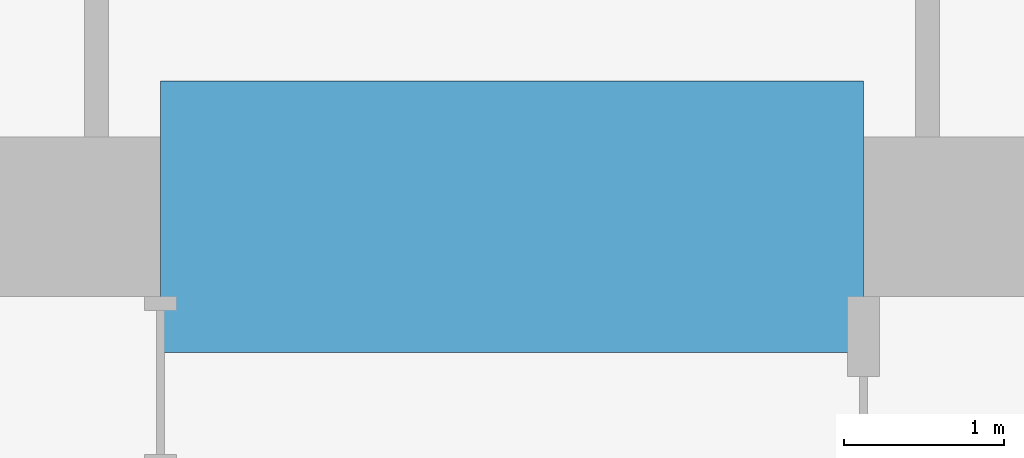
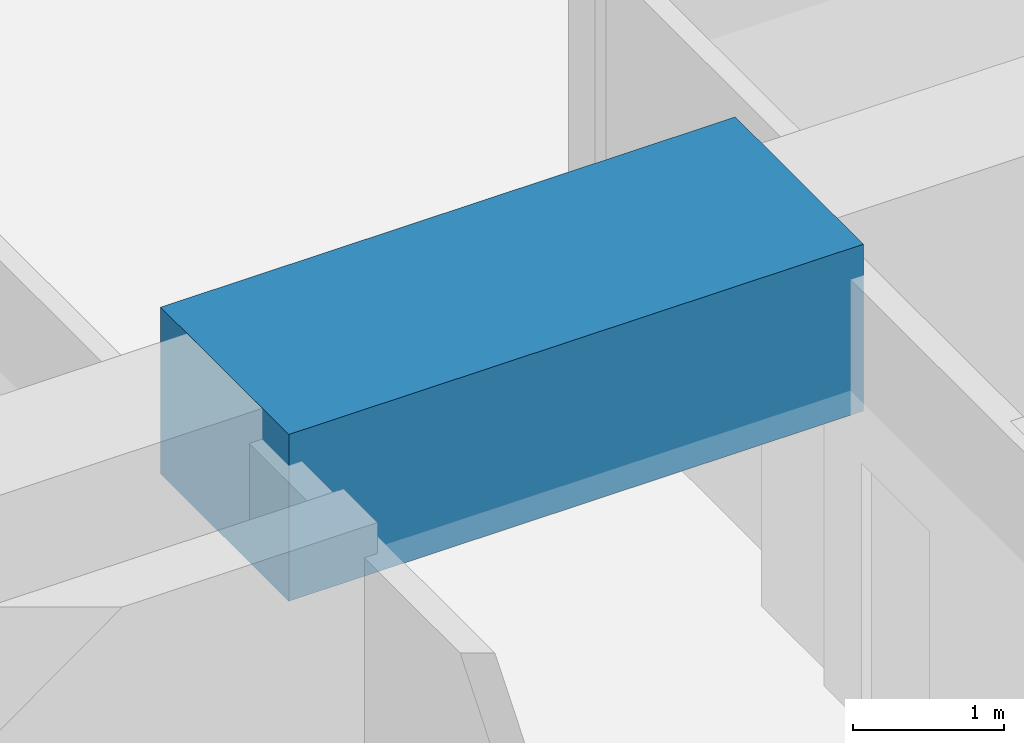
# One storey, part 18 of 40: 1 beam.
"""IFC4 building model written with IfcOpenShell, lengths in metres."""

from ifc_helpers import new_model, si_unit, direction, frame, origin, origin_2d, place, context, subcontext, project, spatial, rectangle, extrude, material, material_profile, profile_set, type_object, element, save


model = new_model("IFC4")

# Units and contexts
model_context = context("Model", 3, precision=1e-05, world=origin(), true_north=direction((0.0, 1.0)))
body_context = subcontext(model_context, "Body", "Model", "MODEL_VIEW")
ifc_project = project(units=[si_unit("LENGTHUNIT", "METRE"), si_unit("AREAUNIT", "SQUARE_METRE"), si_unit("VOLUMEUNIT", "CUBIC_METRE"), si_unit("PLANEANGLEUNIT", "RADIAN"), si_unit("MASSUNIT", "GRAM", prefix="KILO")], contexts=[model_context])

# Site, building, storey
site_placement = place(None, origin())
site = spatial("IfcSite", under=ifc_project, at=site_placement, CompositionType="ELEMENT")
building_placement = place(site_placement, origin())
building = spatial("IfcBuilding", under=site, at=building_placement, Name="Rekha Terrace Tower", CompositionType="ELEMENT")
storey_placement = place(building_placement, frame((0.0, 0.0, 132.800048828125)))
storey = spatial("IfcBuildingStorey", under=building, at=storey_placement, Name="L33", CompositionType="ELEMENT", Elevation=132.800048828125)

# Beam
ifc_material = material(Name="Concrete M70", Category="concrete")
ifc_material_profile = material_profile(ifc_material, rectangle(XDim=1.699951171875, YDim=1.35009765625, at=origin_2d()), Name="RC 1700x1350")
ifc_profile_set = profile_set([ifc_material_profile], Name="Concrete M70")
beam_type = type_object("IfcBeamType", Name="LB2A 1700x1350 diagonally reinforced coupling beam", PredefinedType="LINTEL", material=ifc_profile_set)
beam_placement = place(storey_placement, frame((35.60009765625, 46.199951171875, 3.074951171875), z_axis=(1.0, 0.0, 0.0), x_axis=(0.0, 1.0, 0.0)))
element("IfcBeam", 1, at=beam_placement, inside=storey, type_object=beam_type, Name="Coupling beam LB2A N L33", PredefinedType="LINTEL", context=body_context, shape_type="SweptSolid", body=[
    extrude(rectangle(XDim=1.699951171875, YDim=1.35009765625, at=origin_2d()), origin(), (0.0, 0.0, 1.0), 4.39990234375),
])

save(model, "model.ifc")
